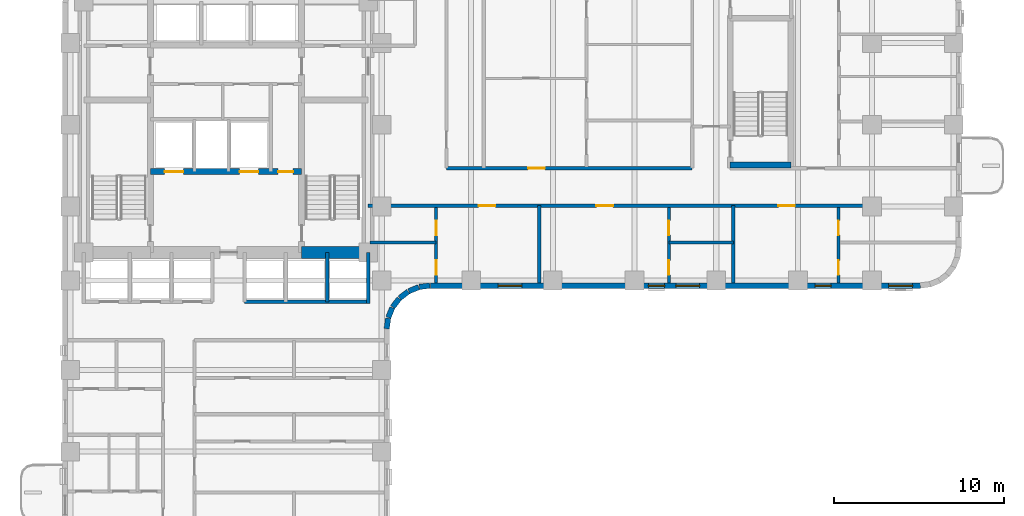
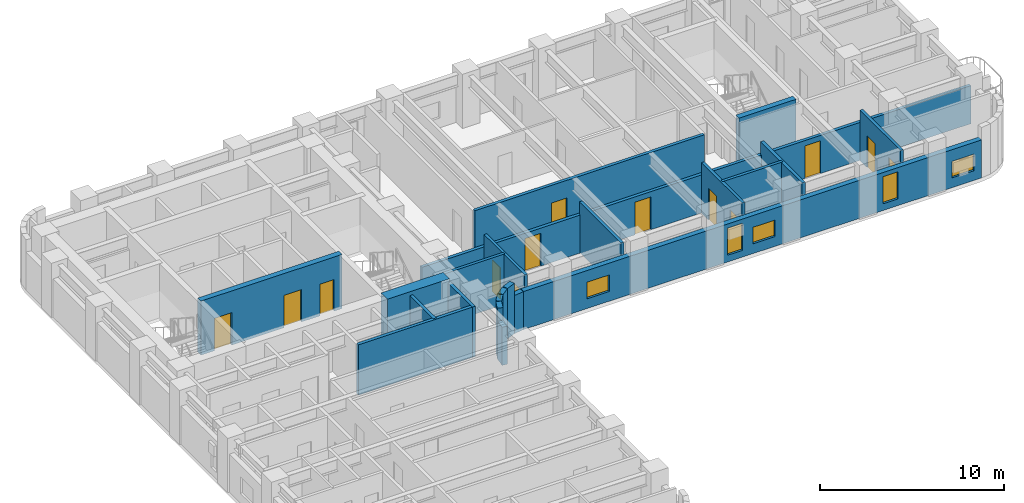
# One storey, part 5 of 12: 22 walls, 13 doors, 5 windows, 18 openings.
"""IFC4 building model written with IfcOpenShell, lengths in metres."""

from ifc_helpers import new_model, si_unit, direction, frame, frame_2d, origin, place, context, subcontext, project, spatial, rectangle, extrude, material, layer, layer_set, type_object, element, fill, save


model = new_model("IFC4")

# Units and contexts
model_context = context("Model", 3, precision=1e-05, world=origin(), true_north=direction((0.0, 1.0)))
body_context = subcontext(model_context, "Body", "Model", "MODEL_VIEW")
ifc_project = project(units=[si_unit("LENGTHUNIT", "METRE"), si_unit("AREAUNIT", "SQUARE_METRE"), si_unit("VOLUMEUNIT", "CUBIC_METRE"), si_unit("PLANEANGLEUNIT", "RADIAN"), si_unit("MASSUNIT", "GRAM", prefix="KILO")], contexts=[model_context])

# Site, building, storey
site_placement = place(None, origin())
site = spatial("IfcSite", under=ifc_project, at=site_placement, CompositionType="ELEMENT")
building_placement = place(site_placement, origin())
building = spatial("IfcBuilding", under=site, at=building_placement, Name="Orvandelia Arch Residences", CompositionType="ELEMENT")
storey_placement = place(building_placement, frame((0.0, 0.0, 35.800048828125)))
storey = spatial("IfcBuildingStorey", under=building, at=storey_placement, Name="L08", CompositionType="ELEMENT", Elevation=35.800048828125)

# Wall, openings, doors
ifc_material_1 = material(Name="Concrete C50/60", Category="concrete")
ifc_layer_1 = layer(ifc_material_1, 0.35009765625, Name="Concrete C50/60", Category="concrete")
ifc_layer_set_1 = layer_set([ifc_layer_1], Name="Concrete C50/60")
wall_type_1 = type_object("IfcWallType", Name="WL-CORE-350", PredefinedType="SHEAR", material=ifc_layer_set_1)
wall_1_placement = place(storey_placement, frame((9.9599609375, 35.64990234375, 0.0), z_axis=(0.0, 0.0, 1.0), x_axis=(1.0, 0.0, 0.0)))
wall_1 = element("IfcWall", 1, at=wall_1_placement, inside=storey, type_object=wall_type_1, Name="Core Shear Wall L08-HZ3", PredefinedType="SHEAR", context=body_context, shape_type="SweptSolid", body=[
    extrude(rectangle(XDim=8.880126953125, YDim=0.35009765625, at=frame_2d((4.43994140625, 0.0))), origin(), (0.0, 0.0, 1.0), 3.599853515625),
])
opening_1_placement = place(wall_1_placement, frame((0.840087890625, 0.0, 0.0)))
opening_1 = element("IfcOpeningElement", 2, at=opening_1_placement, cuts=wall_1, Name="Opening FLD", PredefinedType="OPENING", context=body_context, shape_type="SweptSolid", body=[
    extrude(rectangle(XDim=1.10009765625, YDim=2.14990234375, at=frame_2d((0.550048828125, 1.074951171875))), frame((0.0, 0.18505859375, 0.0), z_axis=(0.0, -1.0, 0.0), x_axis=(1.0, 0.0, 0.0)), (0.0, 0.0, 1.0), 0.3701171875),
])
opening_2_placement = place(wall_1_placement, frame((5.239990234375, 0.0, 0.0)))
opening_2 = element("IfcOpeningElement", 3, at=opening_2_placement, cuts=wall_1, Name="Opening FLD", PredefinedType="OPENING", context=body_context, shape_type="SweptSolid", body=[
    extrude(rectangle(XDim=1.10009765625, YDim=2.14990234375, at=frame_2d((0.550048828125, 1.074951171875))), frame((0.0, 0.18505859375, 0.0), z_axis=(0.0, -1.0, 0.0), x_axis=(1.0, 0.0, 0.0)), (0.0, 0.0, 1.0), 0.3701171875),
])
opening_3_placement = place(wall_1_placement, frame((7.5, 0.0, 0.0)))
opening_3 = element("IfcOpeningElement", 4, at=opening_3_placement, cuts=wall_1, Name="Opening D5", PredefinedType="OPENING", context=body_context, shape_type="SweptSolid", body=[
    extrude(rectangle(XDim=0.8798828125, YDim=2.10009765625, at=frame_2d((0.43994140625, 1.050048828125))), frame((0.0, 0.18505859375, 0.0), z_axis=(0.0, -1.0, 0.0), x_axis=(1.0, 0.0, 0.0)), (0.0, 0.0, 1.0), 0.3701171875),
])
ifc_material_2 = material(Name="Firefighting Lift Stainless Sliding Door")
door_type_1 = type_object("IfcDoorType", Name="DR-FLFT-1100", OperationType="NOTDEFINED", PredefinedType="DOOR", material=ifc_material_2)
door_1_placement = place(opening_1_placement, origin())
door_1 = element("IfcDoor", 5, at=door_1_placement, inside=storey, type_object=door_type_1, Name="Firefighting Lift Landing Door FLD-FL1-L08", OperationType="SLIDING_TO_LEFT", OverallHeight=2.14990234375, OverallWidth=1.10009765625, PredefinedType="DOOR", context=body_context, shape_type="SweptSolid", body=[
    extrude(rectangle(XDim=1.10009765625, YDim=2.14990234375, at=frame_2d((0.550048828125, 1.074951171875))), frame((0.0, 0.02490234375, 0.0), z_axis=(0.0, -1.0, 0.0), x_axis=(1.0, 0.0, 0.0)), (0.0, 0.0, 1.0), 0.050048828125),
])
fill(opening_1, door_1)
door_2_placement = place(opening_2_placement, origin())
door_2 = element("IfcDoor", 6, at=door_2_placement, inside=storey, type_object=door_type_1, Name="Firefighting Lift Landing Door FLD-FL2-L08", OperationType="SLIDING_TO_RIGHT", OverallHeight=2.14990234375, OverallWidth=1.10009765625, PredefinedType="DOOR", context=body_context, shape_type="SweptSolid", body=[
    extrude(rectangle(XDim=1.10009765625, YDim=2.14990234375, at=frame_2d((0.550048828125, 1.074951171875))), frame((0.0, 0.02490234375, 0.0), z_axis=(0.0, -1.0, 0.0), x_axis=(1.0, 0.0, 0.0)), (0.0, 0.0, 1.0), 0.050048828125),
])
fill(opening_2, door_2)
ifc_material_3 = material(Name="Painted Galvanised Steel Service Door", Category="steel")
door_type_2 = type_object("IfcDoorType", Name="DR-SRV-880", OperationType="NOTDEFINED", PredefinedType="DOOR", material=ifc_material_3)
door_3_placement = place(opening_3_placement, origin())
door_3 = element("IfcDoor", 7, at=door_3_placement, inside=storey, type_object=door_type_2, Name="Core Stairway Passage South Fire Door L08", OperationType="SINGLE_SWING_LEFT", OverallHeight=2.10009765625, OverallWidth=0.8798828125, PredefinedType="DOOR", context=body_context, shape_type="SweptSolid", body=[
    extrude(rectangle(XDim=0.8798828125, YDim=2.10009765625, at=frame_2d((0.43994140625, 1.050048828125))), frame((0.0, 0.02490234375, 0.0), z_axis=(0.0, -1.0, 0.0), x_axis=(1.0, 0.0, 0.0)), (0.0, 0.0, 1.0), 0.050048828125),
])
fill(opening_3, door_3)

# Walls
wall_2_placement = place(storey_placement, frame((44.02001953125, 36.0400390625, 0.0), z_axis=(0.0, 0.0, 1.0), x_axis=(1.0, 0.0, 0.0)))
element("IfcWall", 8, at=wall_2_placement, inside=storey, type_object=wall_type_1, Name="East Stair Core Shear Wall L08-S", PredefinedType="SHEAR", context=body_context, shape_type="SweptSolid", body=[
    extrude(rectangle(XDim=3.580078125, YDim=0.35009765625, at=frame_2d((1.7900390625, 0.0))), origin(), (0.0, 0.0, 1.0), 3.599853515625),
])
ifc_material_4 = material(Name="Concrete C80/95", Category="concrete")
ifc_layer_2 = layer(ifc_material_4, 0.699951171875, Name="Concrete C80/95", Category="concrete")
ifc_layer_set_2 = layer_set([ifc_layer_2], Name="Concrete C80/95")
wall_type_2 = type_object("IfcWallType", Name="WL-CORE-700", PredefinedType="SHEAR", material=ifc_layer_set_2)
wall_3_placement = place(storey_placement, frame((18.840087890625, 30.89990234375, 0.0), z_axis=(0.0, 0.0, 1.0), x_axis=(1.0, 0.0, 0.0)))
element("IfcWall", 9, at=wall_3_placement, inside=storey, type_object=wall_type_2, Name="Core Shear Wall L08-SE", PredefinedType="SHEAR", context=body_context, shape_type="SweptSolid", body=[
    extrude(rectangle(XDim=3.909912109375, YDim=0.699951171875, at=frame_2d((1.955078125, 0.0))), origin(), (0.0, 0.0, 1.0), 3.599853515625),
])

# Wall, openings, doors
ifc_material_5 = material(Name="Fire-Rated Corridor Partition")
ifc_layer_3 = layer(ifc_material_5, 0.199951171875, Name="Fire-Rated Corridor Partition")
ifc_layer_set_3 = layer_set([ifc_layer_3], Name="Fire-Rated Corridor Partition")
wall_type_3 = type_object("IfcWallType", Name="WL-CORR-200", PredefinedType="PARTITIONING", material=ifc_layer_set_3)
wall_4_placement = place(storey_placement, frame((22.75, 33.64990234375, 0.0), z_axis=(0.0, 0.0, 1.0), x_axis=(1.0, 0.0, 0.0)))
wall_4 = element("IfcWall", 10, at=wall_4_placement, inside=storey, type_object=wall_type_3, Name="Interior Partition Wall WL-L08-ES-S", PredefinedType="PARTITIONING", context=body_context, shape_type="SweptSolid", body=[
    extrude(rectangle(XDim=34.530029296875, YDim=0.199951171875, at=frame_2d((17.26513671875, 0.0))), origin(), (0.0, 0.0, 1.0), 2.530029296875),
])
opening_4_placement = place(wall_4_placement, frame((6.490966796875, 0.0, 0.0)))
opening_4 = element("IfcOpeningElement", 11, at=opening_4_placement, cuts=wall_4, Name="Opening D1", PredefinedType="OPENING", context=body_context, shape_type="SweptSolid", body=[
    extrude(rectangle(XDim=0.97998046875, YDim=2.179931640625, at=frame_2d((0.489990234375, 1.08984375))), frame((0.0, 0.10986328125, 0.0), z_axis=(0.0, -1.0, 0.0), x_axis=(1.0, 0.0, 0.0)), (0.0, 0.0, 1.0), 0.219970703125),
])
opening_5_placement = place(wall_4_placement, frame((13.406005859375, 0.0, 0.0)))
opening_5 = element("IfcOpeningElement", 12, at=opening_5_placement, cuts=wall_4, Name="Opening D1", PredefinedType="OPENING", context=body_context, shape_type="SweptSolid", body=[
    extrude(rectangle(XDim=0.97998046875, YDim=2.179931640625, at=frame_2d((0.489990234375, 1.08984375))), frame((0.0, 0.10986328125, 0.0), z_axis=(0.0, -1.0, 0.0), x_axis=(1.0, 0.0, 0.0)), (0.0, 0.0, 1.0), 0.219970703125),
])
opening_6_placement = place(wall_4_placement, frame((24.090087890625, 0.0, 0.0)))
opening_6 = element("IfcOpeningElement", 13, at=opening_6_placement, cuts=wall_4, Name="Opening D1", PredefinedType="OPENING", context=body_context, shape_type="SweptSolid", body=[
    extrude(rectangle(XDim=0.97998046875, YDim=2.179931640625, at=frame_2d((0.489990234375, 1.08984375))), frame((0.0, 0.10986328125, 0.0), z_axis=(0.0, -1.0, 0.0), x_axis=(1.0, 0.0, 0.0)), (0.0, 0.0, 1.0), 0.219970703125),
])
ifc_material_6 = material(Name="Solid-Core Timber Acoustic Fire Door", Category="wood")
door_type_3 = type_object("IfcDoorType", Name="DR-ENT-980", OperationType="NOTDEFINED", PredefinedType="DOOR", material=ifc_material_6)
door_4_placement = place(opening_4_placement, origin())
door_4 = element("IfcDoor", 14, at=door_4_placement, inside=storey, type_object=door_type_3, Name="Unit L08-08 Entrance Door", OperationType="SINGLE_SWING_RIGHT", OverallHeight=2.179931640625, OverallWidth=0.97998046875, PredefinedType="DOOR", context=body_context, shape_type="SweptSolid", body=[
    extrude(rectangle(XDim=0.97998046875, YDim=2.179931640625, at=frame_2d((0.489990234375, 1.08984375))), frame((0.0, 0.02490234375, 0.0), z_axis=(0.0, -1.0, 0.0), x_axis=(1.0, 0.0, 0.0)), (0.0, 0.0, 1.0), 0.050048828125),
])
fill(opening_4, door_4)
door_5_placement = place(opening_5_placement, origin())
door_5 = element("IfcDoor", 15, at=door_5_placement, inside=storey, type_object=door_type_3, Name="Unit L08-09 Entrance Door", OperationType="SINGLE_SWING_LEFT", OverallHeight=2.179931640625, OverallWidth=0.97998046875, PredefinedType="DOOR", context=body_context, shape_type="SweptSolid", body=[
    extrude(rectangle(XDim=0.97998046875, YDim=2.179931640625, at=frame_2d((0.489990234375, 1.08984375))), frame((0.0, 0.02490234375, 0.0), z_axis=(0.0, -1.0, 0.0), x_axis=(1.0, 0.0, 0.0)), (0.0, 0.0, 1.0), 0.050048828125),
])
fill(opening_5, door_5)
door_6_placement = place(opening_6_placement, origin())
door_6 = element("IfcDoor", 16, at=door_6_placement, inside=storey, type_object=door_type_3, Name="Unit L08-10 Entrance Door", OperationType="SINGLE_SWING_RIGHT", OverallHeight=2.179931640625, OverallWidth=0.97998046875, PredefinedType="DOOR", context=body_context, shape_type="SweptSolid", body=[
    extrude(rectangle(XDim=0.97998046875, YDim=2.179931640625, at=frame_2d((0.489990234375, 1.08984375))), frame((0.0, 0.02490234375, 0.0), z_axis=(0.0, -1.0, 0.0), x_axis=(1.0, 0.0, 0.0)), (0.0, 0.0, 1.0), 0.050048828125),
])
fill(opening_6, door_6)

# Wall, opening, door
wall_5_placement = place(storey_placement, frame((27.35009765625, 35.85009765625, 0.0), z_axis=(0.0, 0.0, 1.0), x_axis=(1.0, 0.0, 0.0)))
wall_5 = element("IfcWall", 17, at=wall_5_placement, inside=storey, type_object=wall_type_3, Name="Interior Partition Wall WL-L08-ES-N1", PredefinedType="PARTITIONING", context=body_context, shape_type="SweptSolid", body=[
    extrude(rectangle(XDim=14.429931640625, YDim=0.199951171875, at=frame_2d((7.21484375, 0.0))), origin(), (0.0, 0.0, 1.0), 3.349853515625),
])
opening_7_placement = place(wall_5_placement, frame((4.803466796875, 0.0, 0.0)))
opening_7 = element("IfcOpeningElement", 18, at=opening_7_placement, cuts=wall_5, Name="Opening D1", PredefinedType="OPENING", context=body_context, shape_type="SweptSolid", body=[
    extrude(rectangle(XDim=0.97998046875, YDim=2.179931640625, at=frame_2d((0.489990234375, 1.08984375))), frame((0.0, 0.10986328125, 0.0), z_axis=(0.0, -1.0, 0.0), x_axis=(1.0, 0.0, 0.0)), (0.0, 0.0, 1.0), 0.219970703125),
])
door_7_placement = place(opening_7_placement, origin())
door_7 = element("IfcDoor", 19, at=door_7_placement, inside=storey, type_object=door_type_3, Name="Unit L08-11 Entrance Door", OperationType="SINGLE_SWING_LEFT", OverallHeight=2.179931640625, OverallWidth=0.97998046875, PredefinedType="DOOR", context=body_context, shape_type="SweptSolid", body=[
    extrude(rectangle(XDim=0.97998046875, YDim=2.179931640625, at=frame_2d((0.489990234375, 1.08984375))), frame((0.0, 0.02490234375, 0.0), z_axis=(0.0, -1.0, 0.0), x_axis=(1.0, 0.0, 0.0)), (0.0, 0.0, 1.0), 0.050048828125),
])
fill(opening_7, door_7)

# Walls
ifc_material_7 = material(Name="Concrete C40/50", Category="concrete")
ifc_layer_4 = layer(ifc_material_7, 0.199951171875, Name="Concrete C40/50", Category="concrete")
ifc_layer_set_4 = layer_set([ifc_layer_4], Name="Concrete C40/50")
wall_type_4 = type_object("IfcWallType", Name="WL-DEM-200", PredefinedType="SOLIDWALL", material=ifc_layer_set_4)
for number, where, z_axis, x_axis, name in (
    (20, (32.800048828125, 29.1201171875, 0.0), (0.0, 0.0, 1.0), (0.0, 1.0, 0.0), "Interior Partition Wall WL-L08-DEM-ESS-328"),
    (21, (44.199951171875, 29.1201171875, 0.0), (0.0, 0.0, 1.0), (0.0, 1.0, 0.0), "Interior Partition Wall WL-L08-DEM-ESS-442"),
):
    element("IfcWall", number, at=place(storey_placement, frame(where, z_axis=z_axis, x_axis=x_axis)), inside=storey, type_object=wall_type_4, Name=name, PredefinedType="SOLIDWALL", context=body_context, shape_type="SweptSolid", body=[
        extrude(rectangle(XDim=4.52978515625, YDim=0.199951171875, at=frame_2d((2.264892578125, 0.0))), origin(), (0.0, 0.0, 1.0), 3.349853515625),
    ])

# Wall, openings, windows
ifc_material_8 = material(Name="Precast concrete C40/50", Category="concrete")
ifc_layer_5 = layer(ifc_material_8, 0.320068359375, Name="Precast concrete C40/50", Category="concrete")
ifc_layer_set_5 = layer_set([ifc_layer_5], Name="Precast concrete C40/50")
wall_type_5 = type_object("IfcWallType", Name="WL-EXT-STONE-320", PredefinedType="STANDARD", material=ifc_layer_set_5)
wall_6_placement = place(storey_placement, frame((55.199951171875, 28.9599609375, 0.0), z_axis=(0.0, 0.0, 1.0), x_axis=(-1.0, 0.0, 0.0)))
wall_6 = element("IfcWall", 22, at=wall_6_placement, inside=storey, type_object=wall_type_5, Name="Coral-Limestone Precast Facade Wall L08-021", PredefinedType="STANDARD", context=body_context, shape_type="SweptSolid", body=[
    extrude(rectangle(XDim=28.800048828125, YDim=0.320068359375, at=frame_2d((14.39990234375, 0.0))), origin(), (0.0, 0.0, 1.0), 2.530029296875),
])
opening_8_placement = place(wall_6_placement, frame((23.4150390625, 0.0, 0.64990234375)))
opening_8 = element("IfcOpeningElement", 23, at=opening_8_placement, cuts=wall_6, Name="Opening W10", PredefinedType="OPENING", context=body_context, shape_type="SweptSolid", body=[
    extrude(rectangle(XDim=1.39990234375, YDim=1.10009765625, at=frame_2d((0.699951171875, 0.550048828125))), frame((0.0, 0.169921875, 0.0), z_axis=(0.0, -1.0, 0.0), x_axis=(1.0, 0.0, 0.0)), (0.0, 0.0, 1.0), 0.340087890625),
])
opening_9_placement = place(wall_6_placement, frame((15.033935546875, 0.0, 0.449951171875)))
opening_9 = element("IfcOpeningElement", 24, at=opening_9_placement, cuts=wall_6, Name="Opening W4", PredefinedType="OPENING", context=body_context, shape_type="SweptSolid", body=[
    extrude(rectangle(XDim=0.949951171875, YDim=1.800048828125, at=frame_2d((0.47509765625, 0.89990234375))), frame((0.0, 0.169921875, 0.0), z_axis=(0.0, -1.0, 0.0), x_axis=(1.0, 0.0, 0.0)), (0.0, 0.0, 1.0), 0.340087890625),
])
opening_10_placement = place(wall_6_placement, frame((5.25, 0.0, 0.449951171875)))
opening_10 = element("IfcOpeningElement", 25, at=opening_10_placement, cuts=wall_6, Name="Opening W4", PredefinedType="OPENING", context=body_context, shape_type="SweptSolid", body=[
    extrude(rectangle(XDim=0.949951171875, YDim=1.800048828125, at=frame_2d((0.47509765625, 0.89990234375))), frame((0.0, 0.169921875, 0.0), z_axis=(0.0, -1.0, 0.0), x_axis=(1.0, 0.0, 0.0)), (0.0, 0.0, 1.0), 0.340087890625),
])
opening_11_placement = place(wall_6_placement, frame((12.97900390625, 0.0, 0.64990234375)))
opening_11 = element("IfcOpeningElement", 26, at=opening_11_placement, cuts=wall_6, Name="Opening W10", PredefinedType="OPENING", context=body_context, shape_type="SweptSolid", body=[
    extrude(rectangle(XDim=1.39990234375, YDim=1.10009765625, at=frame_2d((0.699951171875, 0.550048828125))), frame((0.0, 0.169921875, 0.0), z_axis=(0.0, -1.0, 0.0), x_axis=(1.0, 0.0, 0.0)), (0.0, 0.0, 1.0), 0.340087890625),
])
opening_12_placement = place(wall_6_placement, frame((0.469970703125, 0.0, 0.64990234375)))
opening_12 = element("IfcOpeningElement", 27, at=opening_12_placement, cuts=wall_6, Name="Opening W10", PredefinedType="OPENING", context=body_context, shape_type="SweptSolid", body=[
    extrude(rectangle(XDim=1.39990234375, YDim=1.10009765625, at=frame_2d((0.699951171875, 0.550048828125))), frame((0.0, 0.169921875, 0.0), z_axis=(0.0, -1.0, 0.0), x_axis=(1.0, 0.0, 0.0)), (0.0, 0.0, 1.0), 0.340087890625),
])
ifc_material_9 = material(Name="Tempered Low-E Insulated Glazing", Category="glass")
window_type_1 = type_object("IfcWindowType", Name="WIN-CLR-1400x1100", PartitioningType="SINGLE_PANEL", PredefinedType="WINDOW", material=ifc_material_9)
window_1_placement = place(opening_8_placement, origin())
window_1 = element("IfcWindow", 28, at=window_1_placement, inside=storey, type_object=window_type_1, Name="Recessed Punched Window L08-014", OverallHeight=1.10009765625, OverallWidth=1.39990234375, PartitioningType="SINGLE_PANEL", PredefinedType="WINDOW", context=body_context, shape_type="SweptSolid", body=[
    extrude(rectangle(XDim=1.39990234375, YDim=1.10009765625, at=frame_2d((0.699951171875, 0.550048828125))), frame((0.0, 0.030029296875, 0.0), z_axis=(0.0, -1.0, 0.0), x_axis=(1.0, 0.0, 0.0)), (0.0, 0.0, 1.0), 0.06005859375),
])
fill(opening_8, window_1)
window_2_placement = place(opening_11_placement, origin())
window_2 = element("IfcWindow", 29, at=window_2_placement, inside=storey, type_object=window_type_1, Name="Recessed Punched Window L08-017", OverallHeight=1.10009765625, OverallWidth=1.39990234375, PartitioningType="SINGLE_PANEL", PredefinedType="WINDOW", context=body_context, shape_type="SweptSolid", body=[
    extrude(rectangle(XDim=1.39990234375, YDim=1.10009765625, at=frame_2d((0.699951171875, 0.550048828125))), frame((0.0, 0.030029296875, 0.0), z_axis=(0.0, -1.0, 0.0), x_axis=(1.0, 0.0, 0.0)), (0.0, 0.0, 1.0), 0.06005859375),
])
fill(opening_11, window_2)
window_3_placement = place(opening_12_placement, origin())
window_3 = element("IfcWindow", 30, at=window_3_placement, inside=storey, type_object=window_type_1, Name="Recessed Punched Window L08-018", OverallHeight=1.10009765625, OverallWidth=1.39990234375, PartitioningType="SINGLE_PANEL", PredefinedType="WINDOW", context=body_context, shape_type="SweptSolid", body=[
    extrude(rectangle(XDim=1.39990234375, YDim=1.10009765625, at=frame_2d((0.699951171875, 0.550048828125))), frame((0.0, 0.030029296875, 0.0), z_axis=(0.0, -1.0, 0.0), x_axis=(1.0, 0.0, 0.0)), (0.0, 0.0, 1.0), 0.06005859375),
])
fill(opening_12, window_3)
window_type_2 = type_object("IfcWindowType", Name="WIN-RES-0950x1800", PartitioningType="SINGLE_PANEL", PredefinedType="WINDOW", material=ifc_material_9)
window_4_placement = place(opening_9_placement, origin())
window_4 = element("IfcWindow", 31, at=window_4_placement, inside=storey, type_object=window_type_2, Name="Recessed Punched Window L08-015", OverallHeight=1.800048828125, OverallWidth=0.949951171875, PartitioningType="SINGLE_PANEL", PredefinedType="WINDOW", context=body_context, shape_type="SweptSolid", body=[
    extrude(rectangle(XDim=0.949951171875, YDim=1.800048828125, at=frame_2d((0.47509765625, 0.89990234375))), frame((0.0, 0.030029296875, 0.0), z_axis=(0.0, -1.0, 0.0), x_axis=(1.0, 0.0, 0.0)), (0.0, 0.0, 1.0), 0.06005859375),
])
fill(opening_9, window_4)
window_5_placement = place(opening_10_placement, origin())
window_5 = element("IfcWindow", 32, at=window_5_placement, inside=storey, type_object=window_type_2, Name="Recessed Punched Window L08-016", OverallHeight=1.800048828125, OverallWidth=0.949951171875, PartitioningType="SINGLE_PANEL", PredefinedType="WINDOW", context=body_context, shape_type="SweptSolid", body=[
    extrude(rectangle(XDim=0.949951171875, YDim=1.800048828125, at=frame_2d((0.47509765625, 0.89990234375))), frame((0.0, 0.030029296875, 0.0), z_axis=(0.0, -1.0, 0.0), x_axis=(1.0, 0.0, 0.0)), (0.0, 0.0, 1.0), 0.06005859375),
])
fill(opening_10, window_5)

# Walls
wall_7_placement = place(storey_placement, frame((26.379150390625, 28.95849609375, 0.0), z_axis=(0.0, 0.0, 1.0), x_axis=(-0.991447664465, -0.130504898859, 0.0)))
element("IfcWall", 33, at=wall_7_placement, inside=storey, type_object=wall_type_5, Name="Coral-Limestone Precast Facade Wall L08-022", PredefinedType="STANDARD", context=body_context, shape_type="SweptSolid", body=[
    extrude(rectangle(XDim=0.626708984375, YDim=0.320068359375, at=frame_2d((0.3134765625, 0.0))), origin(), (0.0, 0.0, 1.0), 2.530029296875),
])
wall_8_placement = place(storey_placement, frame((25.717529296875, 28.865966796875, 0.0), z_axis=(0.0, 0.0, 1.0), x_axis=(-0.923836271867, -0.382787856107, 0.0)))
element("IfcWall", 34, at=wall_8_placement, inside=storey, type_object=wall_type_5, Name="Coral-Limestone Precast Facade Wall L08-023", PredefinedType="STANDARD", context=body_context, shape_type="SweptSolid", body=[
    extrude(rectangle(XDim=0.626220703125, YDim=0.320068359375, at=frame_2d((0.31298828125, 0.0))), origin(), (0.0, 0.0, 1.0), 3.349853515625),
])
for number, where, z_axis, x_axis, name in (
    (35, (25.1025390625, 28.60546875, 0.0), (0.0, 0.0, 1.0), (-0.793405610854, -0.608693302629, 0.0), "Coral-Limestone Precast Facade Wall L08-024"),
    (36, (24.575927734375, 28.194580078125, 0.0), (0.0, 0.0, 1.0), (-0.608693302629, -0.793405610854, 0.0), "Coral-Limestone Precast Facade Wall L08-025"),
):
    element("IfcWall", number, at=place(storey_placement, frame(where, z_axis=z_axis, x_axis=x_axis)), inside=storey, type_object=wall_type_5, Name=name, PredefinedType="STANDARD", context=body_context, shape_type="SweptSolid", body=[
        extrude(rectangle(XDim=0.62646484375, YDim=0.320068359375, at=frame_2d((0.313232421875, 0.0))), origin(), (0.0, 0.0, 1.0), 3.349853515625),
    ])
wall_9_placement = place(storey_placement, frame((24.173583984375, 27.6611328125, 0.0), z_axis=(0.0, 0.0, 1.0), x_axis=(-0.382455093999, -0.923974080304, 0.0)))
element("IfcWall", 37, at=wall_9_placement, inside=storey, type_object=wall_type_5, Name="Coral-Limestone Precast Facade Wall L08-026", PredefinedType="STANDARD", context=body_context, shape_type="SweptSolid", body=[
    extrude(rectangle(XDim=0.626220703125, YDim=0.320068359375, at=frame_2d((0.31298828125, 0.0))), origin(), (0.0, 0.0, 1.0), 3.349853515625),
])
wall_10_placement = place(storey_placement, frame((23.923095703125, 27.0419921875, 0.0), z_axis=(0.0, 0.0, 1.0), x_axis=(-0.130555323746, -0.9914410257, 0.0)))
element("IfcWall", 38, at=wall_10_placement, inside=storey, type_object=wall_type_5, Name="Coral-Limestone Precast Facade Wall L08-027", PredefinedType="STANDARD", context=body_context, shape_type="SweptSolid", body=[
    extrude(rectangle(XDim=0.62646484375, YDim=0.320068359375, at=frame_2d((0.313232421875, 0.0))), origin(), (0.0, 0.0, 1.0), 2.530029296875),
])
ifc_material_10 = material(Name="Fire-Rated Shaft Enclosure Wall")
ifc_layer_6 = layer(ifc_material_10, 0.199951171875, Name="Fire-Rated Shaft Enclosure Wall")
ifc_layer_set_6 = layer_set([ifc_layer_6], Name="Fire-Rated Shaft Enclosure Wall")
wall_type_6 = type_object("IfcWallType", Name="WL-SHAFT-200", PredefinedType="POLYGONAL", material=ifc_layer_set_6)
wall_11_placement = place(storey_placement, frame((15.5, 28.0, 0.0), z_axis=(0.0, 0.0, 1.0), x_axis=(1.0, 0.0, 0.0)))
element("IfcWall", 39, at=wall_11_placement, inside=storey, type_object=wall_type_6, Name="Interior Partition Wall WL-L08-BNKM-S", PredefinedType="POLYGONAL", context=body_context, shape_type="SweptSolid", body=[
    extrude(rectangle(XDim=7.25, YDim=0.199951171875, at=frame_2d((3.625, 0.0))), origin(), (0.0, 0.0, 1.0), 3.349853515625),
])
wall_12_placement = place(storey_placement, frame((22.75, 27.89990234375, 0.0), z_axis=(0.0, 0.0, 1.0), x_axis=(0.0, 1.0, 0.0)))
element("IfcWall", 40, at=wall_12_placement, inside=storey, type_object=wall_type_6, Name="Interior Partition Wall WL-L08-BNKM-E", PredefinedType="POLYGONAL", context=body_context, shape_type="SweptSolid", body=[
    extrude(rectangle(XDim=3.0, YDim=0.199951171875, at=frame_2d((1.5, 0.0))), origin(), (0.0, 0.0, 1.0), 3.349853515625),
])
wall_13_placement = place(storey_placement, frame((20.35009765625, 28.0, 0.0), z_axis=(0.0, 0.0, 1.0), x_axis=(0.0, 1.0, 0.0)))
element("IfcWall", 41, at=wall_13_placement, inside=storey, type_object=wall_type_6, Name="Interior Partition Wall WL-L08-BNKD-2035", PredefinedType="POLYGONAL", context=body_context, shape_type="SweptSolid", body=[
    extrude(rectangle(XDim=2.89990234375, YDim=0.199951171875, at=frame_2d((1.449951171875, 0.0))), origin(), (0.0, 0.0, 1.0), 3.349853515625),
])

# Wall, openings, doors
ifc_material_11 = material(Name="Moisture-Resistant Plumbing Wall")
ifc_layer_7 = layer(ifc_material_11, 0.179931640625, Name="Moisture-Resistant Plumbing Wall")
ifc_layer_set_7 = layer_set([ifc_layer_7], Name="Moisture-Resistant Plumbing Wall")
wall_type_7 = type_object("IfcWallType", Name="WL-WET-180", PredefinedType="PLUMBINGWALL", material=ifc_layer_set_7)
wall_14_placement = place(storey_placement, frame((26.741943359375, 29.1201171875, 0.0), z_axis=(0.0, 0.0, 1.0), x_axis=(0.0, 1.0, 0.0)))
wall_14 = element("IfcWall", 42, at=wall_14_placement, inside=storey, type_object=wall_type_7, Name="Interior Partition Wall WL-L08-U08-VT", PredefinedType="PLUMBINGWALL", context=body_context, shape_type="SweptSolid", body=[
    extrude(rectangle(XDim=4.429931640625, YDim=0.179931640625, at=frame_2d((2.21484375, 0.0))), origin(), (0.0, 0.0, 1.0), 3.349853515625),
])
opening_13_placement = place(wall_14_placement, frame((0.458740234375, 0.0, 0.0)))
opening_13 = element("IfcOpeningElement", 43, at=opening_13_placement, cuts=wall_14, Name="Opening D4", PredefinedType="OPENING", context=body_context, shape_type="SweptSolid", body=[
    extrude(rectangle(XDim=0.860107421875, YDim=2.10009765625, at=frame_2d((0.43017578125, 1.050048828125))), frame((0.0, 0.10009765625, 0.0), z_axis=(0.0, -1.0, 0.0), x_axis=(1.0, 0.0, 0.0)), (0.0, 0.0, 1.0), 0.199951171875),
])
opening_14_placement = place(wall_14_placement, frame((2.79931640625, 0.0, 0.0)))
opening_14 = element("IfcOpeningElement", 44, at=opening_14_placement, cuts=wall_14, Name="Opening D4", PredefinedType="OPENING", context=body_context, shape_type="SweptSolid", body=[
    extrude(rectangle(XDim=0.860107421875, YDim=2.10009765625, at=frame_2d((0.43017578125, 1.050048828125))), frame((0.0, 0.10009765625, 0.0), z_axis=(0.0, -1.0, 0.0), x_axis=(1.0, 0.0, 0.0)), (0.0, 0.0, 1.0), 0.199951171875),
])
ifc_material_12 = material(Name="Moisture-Sealed Timber Bathroom Door", Category="wood")
door_type_4 = type_object("IfcDoorType", Name="DR-WET-900", OperationType="NOTDEFINED", PredefinedType="DOOR", material=ifc_material_12)
door_8_placement = place(opening_13_placement, origin())
door_8 = element("IfcDoor", 45, at=door_8_placement, inside=storey, type_object=door_type_4, Name="DR-L08-U08-KIT", OperationType="SINGLE_SWING_RIGHT", OverallHeight=2.10009765625, OverallWidth=0.860107421875, PredefinedType="DOOR", context=body_context, shape_type="SweptSolid", body=[
    extrude(rectangle(XDim=0.860107421875, YDim=2.10009765625, at=frame_2d((0.43017578125, 1.050048828125))), frame((0.0, 0.02490234375, 0.0), z_axis=(0.0, -1.0, 0.0), x_axis=(1.0, 0.0, 0.0)), (0.0, 0.0, 1.0), 0.050048828125),
])
fill(opening_13, door_8)
door_9_placement = place(opening_14_placement, origin())
door_9 = element("IfcDoor", 46, at=door_9_placement, inside=storey, type_object=door_type_4, Name="DR-L08-U08-BTH", OperationType="SINGLE_SWING_LEFT", OverallHeight=2.10009765625, OverallWidth=0.860107421875, PredefinedType="DOOR", context=body_context, shape_type="SweptSolid", body=[
    extrude(rectangle(XDim=0.860107421875, YDim=2.10009765625, at=frame_2d((0.43017578125, 1.050048828125))), frame((0.0, 0.02490234375, 0.0), z_axis=(0.0, -1.0, 0.0), x_axis=(1.0, 0.0, 0.0)), (0.0, 0.0, 1.0), 0.050048828125),
])
fill(opening_14, door_9)

# Wall
wall_15_placement = place(storey_placement, frame((22.85009765625, 31.485107421875, 0.0), z_axis=(0.0, 0.0, 1.0), x_axis=(1.0, 0.0, 0.0)))
element("IfcWall", 47, at=wall_15_placement, inside=storey, type_object=wall_type_7, Name="Interior Partition Wall WL-L08-U08-H1", PredefinedType="PLUMBINGWALL", context=body_context, shape_type="SweptSolid", body=[
    extrude(rectangle(XDim=3.891845703125, YDim=0.179931640625, at=frame_2d((1.94580078125, 0.0))), origin(), (0.0, 0.0, 1.0), 3.349853515625),
])

# Wall, openings, doors
wall_16_placement = place(storey_placement, frame((40.412109375, 29.1201171875, 0.0), z_axis=(0.0, 0.0, 1.0), x_axis=(0.0, 1.0, 0.0)))
wall_16 = element("IfcWall", 48, at=wall_16_placement, inside=storey, type_object=wall_type_7, Name="Interior Partition Wall WL-L08-U09-VT", PredefinedType="PLUMBINGWALL", context=body_context, shape_type="SweptSolid", body=[
    extrude(rectangle(XDim=4.429931640625, YDim=0.179931640625, at=frame_2d((2.21484375, 0.0))), origin(), (0.0, 0.0, 1.0), 3.349853515625),
])
opening_15_placement = place(wall_16_placement, frame((0.458740234375, 0.0, 0.0)))
opening_15 = element("IfcOpeningElement", 49, at=opening_15_placement, cuts=wall_16, Name="Opening D4", PredefinedType="OPENING", context=body_context, shape_type="SweptSolid", body=[
    extrude(rectangle(XDim=0.860107421875, YDim=2.10009765625, at=frame_2d((0.43017578125, 1.050048828125))), frame((0.0, 0.10009765625, 0.0), z_axis=(0.0, -1.0, 0.0), x_axis=(1.0, 0.0, 0.0)), (0.0, 0.0, 1.0), 0.199951171875),
])
opening_16_placement = place(wall_16_placement, frame((2.79931640625, 0.0, 0.0)))
opening_16 = element("IfcOpeningElement", 50, at=opening_16_placement, cuts=wall_16, Name="Opening D4", PredefinedType="OPENING", context=body_context, shape_type="SweptSolid", body=[
    extrude(rectangle(XDim=0.860107421875, YDim=2.10009765625, at=frame_2d((0.43017578125, 1.050048828125))), frame((0.0, 0.10009765625, 0.0), z_axis=(0.0, -1.0, 0.0), x_axis=(1.0, 0.0, 0.0)), (0.0, 0.0, 1.0), 0.199951171875),
])
door_10_placement = place(opening_15_placement, origin())
door_10 = element("IfcDoor", 51, at=door_10_placement, inside=storey, type_object=door_type_4, Name="DR-L08-U09-KIT", OperationType="SINGLE_SWING_LEFT", OverallHeight=2.10009765625, OverallWidth=0.860107421875, PredefinedType="DOOR", context=body_context, shape_type="SweptSolid", body=[
    extrude(rectangle(XDim=0.860107421875, YDim=2.10009765625, at=frame_2d((0.43017578125, 1.050048828125))), frame((0.0, 0.02490234375, 0.0), z_axis=(0.0, -1.0, 0.0), x_axis=(1.0, 0.0, 0.0)), (0.0, 0.0, 1.0), 0.050048828125),
])
fill(opening_15, door_10)
door_11_placement = place(opening_16_placement, origin())
door_11 = element("IfcDoor", 52, at=door_11_placement, inside=storey, type_object=door_type_4, Name="DR-L08-U09-BTH", OperationType="SINGLE_SWING_RIGHT", OverallHeight=2.10009765625, OverallWidth=0.860107421875, PredefinedType="DOOR", context=body_context, shape_type="SweptSolid", body=[
    extrude(rectangle(XDim=0.860107421875, YDim=2.10009765625, at=frame_2d((0.43017578125, 1.050048828125))), frame((0.0, 0.02490234375, 0.0), z_axis=(0.0, -1.0, 0.0), x_axis=(1.0, 0.0, 0.0)), (0.0, 0.0, 1.0), 0.050048828125),
])
fill(opening_16, door_11)

# Wall
wall_17_placement = place(storey_placement, frame((40.412109375, 31.485107421875, 0.0), z_axis=(0.0, 0.0, 1.0), x_axis=(1.0, 0.0, 0.0)))
element("IfcWall", 53, at=wall_17_placement, inside=storey, type_object=wall_type_7, Name="Interior Partition Wall WL-L08-U09-H1", PredefinedType="PLUMBINGWALL", context=body_context, shape_type="SweptSolid", body=[
    extrude(rectangle(XDim=3.787841796875, YDim=0.179931640625, at=frame_2d((1.89404296875, 0.0))), origin(), (0.0, 0.0, 1.0), 3.349853515625),
])

# Wall, openings, doors
wall_18_placement = place(storey_placement, frame((50.3798828125, 29.1201171875, 0.0), z_axis=(0.0, 0.0, 1.0), x_axis=(0.0, 1.0, 0.0)))
wall_18 = element("IfcWall", 54, at=wall_18_placement, inside=storey, type_object=wall_type_7, Name="Interior Partition Wall WL-L08-U10-VT", PredefinedType="PLUMBINGWALL", context=body_context, shape_type="SweptSolid", body=[
    extrude(rectangle(XDim=4.429931640625, YDim=0.179931640625, at=frame_2d((2.21484375, 0.0))), origin(), (0.0, 0.0, 1.0), 3.349853515625),
])
opening_17_placement = place(wall_18_placement, frame((0.458740234375, 0.0, 0.0)))
opening_17 = element("IfcOpeningElement", 55, at=opening_17_placement, cuts=wall_18, Name="Opening D4", PredefinedType="OPENING", context=body_context, shape_type="SweptSolid", body=[
    extrude(rectangle(XDim=0.860107421875, YDim=2.10009765625, at=frame_2d((0.43017578125, 1.050048828125))), frame((0.0, 0.10009765625, 0.0), z_axis=(0.0, -1.0, 0.0), x_axis=(1.0, 0.0, 0.0)), (0.0, 0.0, 1.0), 0.199951171875),
])
opening_18_placement = place(wall_18_placement, frame((2.79931640625, 0.0, 0.0)))
opening_18 = element("IfcOpeningElement", 56, at=opening_18_placement, cuts=wall_18, Name="Opening D4", PredefinedType="OPENING", context=body_context, shape_type="SweptSolid", body=[
    extrude(rectangle(XDim=0.860107421875, YDim=2.10009765625, at=frame_2d((0.43017578125, 1.050048828125))), frame((0.0, 0.10009765625, 0.0), z_axis=(0.0, -1.0, 0.0), x_axis=(1.0, 0.0, 0.0)), (0.0, 0.0, 1.0), 0.199951171875),
])
door_12_placement = place(opening_17_placement, origin())
door_12 = element("IfcDoor", 57, at=door_12_placement, inside=storey, type_object=door_type_4, Name="DR-L08-U10-KIT", OperationType="SINGLE_SWING_RIGHT", OverallHeight=2.10009765625, OverallWidth=0.860107421875, PredefinedType="DOOR", context=body_context, shape_type="SweptSolid", body=[
    extrude(rectangle(XDim=0.860107421875, YDim=2.10009765625, at=frame_2d((0.43017578125, 1.050048828125))), frame((0.0, 0.02490234375, 0.0), z_axis=(0.0, -1.0, 0.0), x_axis=(1.0, 0.0, 0.0)), (0.0, 0.0, 1.0), 0.050048828125),
])
fill(opening_17, door_12)
door_13_placement = place(opening_18_placement, origin())
door_13 = element("IfcDoor", 58, at=door_13_placement, inside=storey, type_object=door_type_4, Name="DR-L08-U10-BTH", OperationType="SINGLE_SWING_LEFT", OverallHeight=2.10009765625, OverallWidth=0.860107421875, PredefinedType="DOOR", context=body_context, shape_type="SweptSolid", body=[
    extrude(rectangle(XDim=0.860107421875, YDim=2.10009765625, at=frame_2d((0.43017578125, 1.050048828125))), frame((0.0, 0.02490234375, 0.0), z_axis=(0.0, -1.0, 0.0), x_axis=(1.0, 0.0, 0.0)), (0.0, 0.0, 1.0), 0.050048828125),
])
fill(opening_18, door_13)

save(model, "model.ifc")
